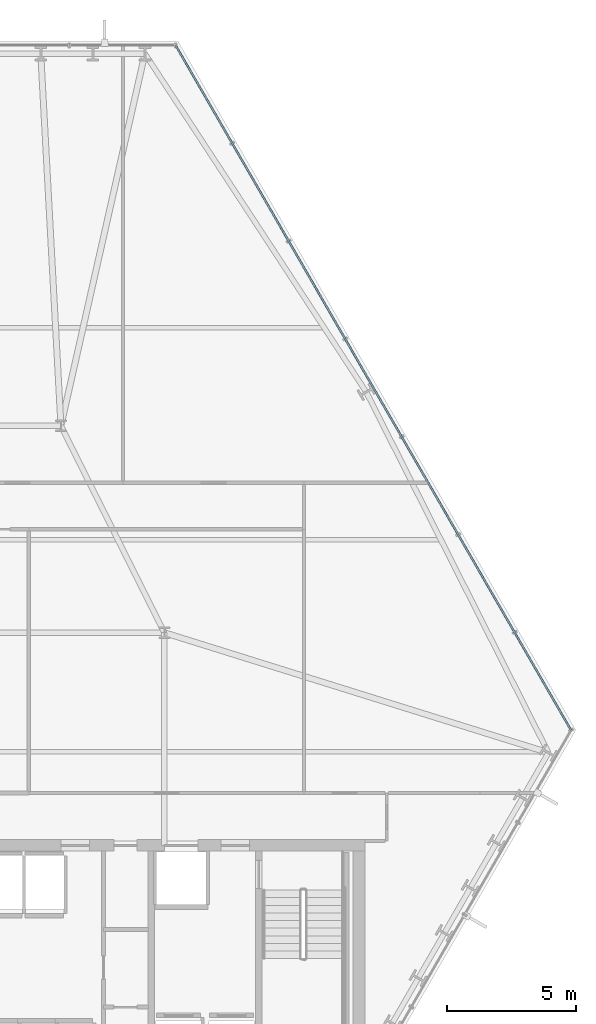
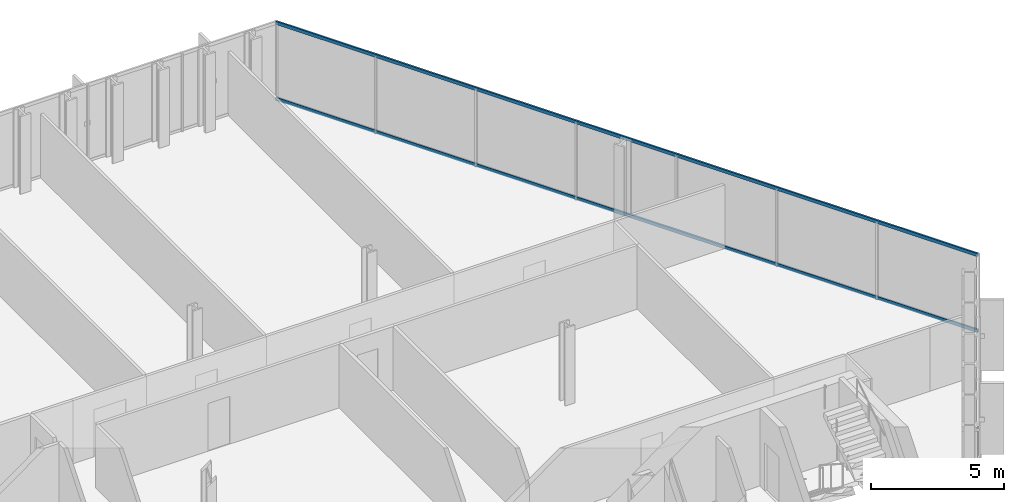
# One storey, part 18 of 33: 2 members, 1 element without a shape of its own.
"""IFC4 building model written with IfcOpenShell, lengths in metres."""

from ifc_helpers import new_model, si_unit, direction, frame, origin, origin_2d, place, context, subcontext, project, spatial, hollow_rectangle, extrude, material, layer, layer_set, material_profile, profile_set, type_object, element, aggregate, save


model = new_model("IFC4")

# Units and contexts
model_context = context("Model", 3, precision=1e-05, world=origin(), true_north=direction((0.0, 1.0)))
body_context = subcontext(model_context, "Body", "Model", "MODEL_VIEW")
ifc_project = project(units=[si_unit("LENGTHUNIT", "METRE"), si_unit("AREAUNIT", "SQUARE_METRE"), si_unit("VOLUMEUNIT", "CUBIC_METRE"), si_unit("PLANEANGLEUNIT", "RADIAN"), si_unit("MASSUNIT", "GRAM", prefix="KILO")], contexts=[model_context])

# Site, building, storey
site_placement = place(None, origin())
site = spatial("IfcSite", under=ifc_project, at=site_placement, CompositionType="ELEMENT")
building_placement = place(site_placement, origin())
building = spatial("IfcBuilding", under=site, at=building_placement, Name="Ndaravel Arena Tower", CompositionType="ELEMENT")
storey_placement = place(building_placement, frame((0.0, 0.0, 39.800048828125)))
storey = spatial("IfcBuildingStorey", under=building, at=storey_placement, Name="L07", CompositionType="ELEMENT", Elevation=39.800048828125)

# Curtain wall, members
ifc_material_1 = material(Name="Aluminium", Category="aluminium")
ifc_layer = layer(ifc_material_1, 0.179931640625)
ifc_layer_set = layer_set([ifc_layer], Name="Aluminium")
curtain_wall_type = type_object("IfcCurtainWallType", Name="CW-SYS-03", PredefinedType="NOTDEFINED", material=ifc_layer_set)
curtain_wall_placement = place(storey_placement, origin())
curtain_wall = element("IfcCurtainWall", 1, at=curtain_wall_placement, inside=storey, type_object=curtain_wall_type, Name="L07 Faceted Crystal Curtain Wall CW-L07-E03", PredefinedType="NOTDEFINED")
ifc_material_2 = material(Name="Aluminium", Category="aluminium")
ifc_material_profile = material_profile(ifc_material_2, hollow_rectangle(XDim=0.074951171875, YDim=0.14990234375, WallThickness=0.00390625, at=origin_2d()), Name="CW TRANSOM 75x150x4")
ifc_profile_set = profile_set([ifc_material_profile], Name="Aluminium")
member_type = type_object("IfcMemberType", Name="MEM-CW-TRN150", PredefinedType="USERDEFINED", material=ifc_profile_set)
member_1_placement = place(storey_placement, frame((65.527099609375, 19.429931640625, 0.0400390625), z_axis=(-0.500002605586, 0.866023899444, 0.0), x_axis=(-0.866023899444, -0.500002605586, 0.0)))
member_1 = element("IfcMember", 2, at=member_1_placement, type_object=member_type, Name="CW-L07-E03 Transom 01", ObjectType="TRANSOM", PredefinedType="USERDEFINED", context=body_context, shape_type="SweptSolid", body=[
    extrude(hollow_rectangle(XDim=0.074951171875, YDim=0.14990234375, WallThickness=0.00390625, at=origin_2d()), origin(), (0.0, 0.0, 1.0), 30.576416015625),
])
member_2_placement = place(storey_placement, frame((65.527099609375, 19.429931640625, 3.5400390625), z_axis=(-0.500002605586, 0.866023899444, 0.0), x_axis=(-0.866023899444, -0.500002605586, 0.0)))
member_2 = element("IfcMember", 3, at=member_2_placement, type_object=member_type, Name="CW-L07-E03 Transom 02", ObjectType="TRANSOM", PredefinedType="USERDEFINED", context=body_context, shape_type="SweptSolid", body=[
    extrude(hollow_rectangle(XDim=0.074951171875, YDim=0.14990234375, WallThickness=0.00390625, at=origin_2d()), origin(), (0.0, 0.0, 1.0), 30.576416015625),
])
aggregate(curtain_wall, [member_1, member_2])

save(model, "model.ifc")
